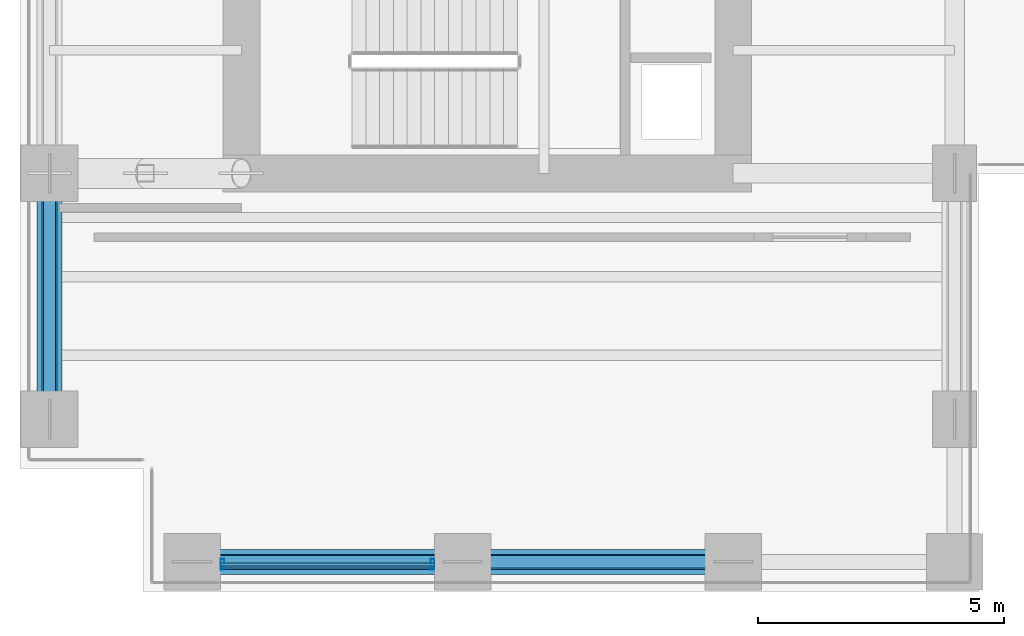
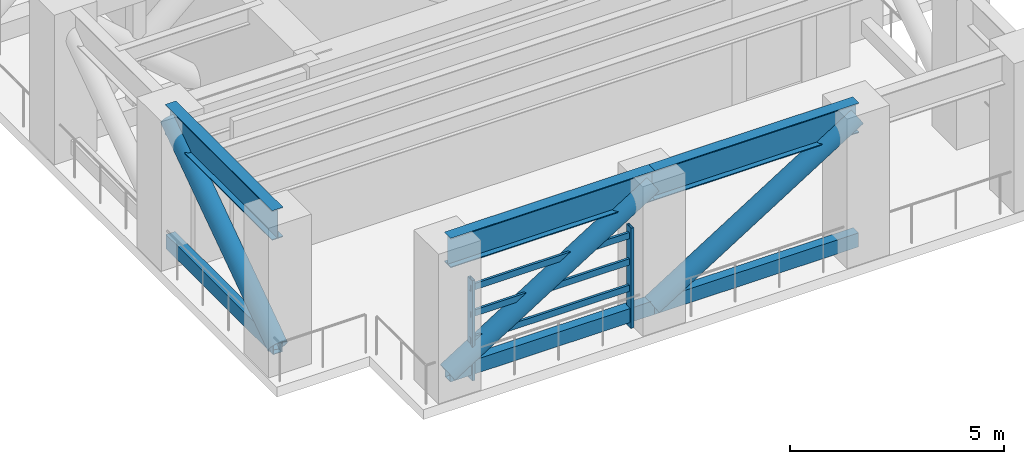
# One storey, part 2 of 16: 11 members, 3 beams, 1 element without a shape of its own.
"""IFC4 building model written with IfcOpenShell, lengths in metres."""

from ifc_helpers import new_model, si_unit, direction, frame, origin, origin_2d, place, context, subcontext, project, spatial, hollow_rectangle, hollow_circle, i_section, extrude, source, transform, mapped, material, layer, layer_set, material_profile, profile_set, type_object, element, aggregate, save


model = new_model("IFC4")

# Units and contexts
model_context = context("Model", 3, precision=1e-05, world=origin(), true_north=direction((0.0, 1.0)))
body_context = subcontext(model_context, "Body", "Model", "MODEL_VIEW")
ifc_project = project(units=[si_unit("LENGTHUNIT", "METRE"), si_unit("AREAUNIT", "SQUARE_METRE"), si_unit("VOLUMEUNIT", "CUBIC_METRE"), si_unit("PLANEANGLEUNIT", "RADIAN"), si_unit("MASSUNIT", "GRAM", prefix="KILO")], contexts=[model_context])

# Site, building, storey
site_placement = place(None, origin())
site = spatial("IfcSite", under=ifc_project, at=site_placement, CompositionType="ELEMENT")
building_placement = place(site_placement, origin())
building = spatial("IfcBuilding", under=site, at=building_placement, Name="Kharzan Plaza Tower", CompositionType="ELEMENT")
storey_placement = place(building_placement, frame((0.0, 0.0, 138.60009765625)))
storey = spatial("IfcBuildingStorey", under=building, at=storey_placement, Name="L37", CompositionType="ELEMENT", Elevation=138.60009765625)

# Members
ifc_material_1 = material(Name="Steel S355", Category="steel")
ifc_material_profile_1 = material_profile(ifc_material_1, hollow_rectangle(XDim=0.25, YDim=0.39990234375, WallThickness=0.01611328125, at=origin_2d()), Name="RHS400x250x16")
ifc_profile_set_1 = profile_set([ifc_material_profile_1], Name="Steel S355")
member_type_1 = type_object("IfcMemberType", Name="MEM-BT-CHORD", PredefinedType="CHORD", material=ifc_profile_set_1)
shared_shape_1 = source(origin(), body_context, "Body", "SweptSolid", [
    extrude(hollow_rectangle(XDim=0.25, YDim=0.39990234375, WallThickness=0.01611328125, at=origin_2d()), origin(), (0.0, 0.0, 1.0), 5.0),
])
member_1_placement = place(storey_placement, frame((0.60009765625, 3.5, 0.349853515625), z_axis=(0.0, 1.0, 0.0), x_axis=(-1.0, 0.0, 0.0)))
element("IfcMember", 1, at=member_1_placement, inside=storey, type_object=member_type_1, Name="L37 Belt Truss Bottom Chord BTW-1", PredefinedType="CHORD", context=body_context, shape_type="MappedRepresentation", body=[
    mapped(shared_shape_1, transform((0.0, 0.0, 0.0), x_axis=(1.0, 0.0, 0.0), y_axis=(0.0, 1.0, 0.0), z_axis=(0.0, 0.0, 1.0))),
])
shared_shape_2 = source(origin(), body_context, "Body", "SweptSolid", [
    extrude(hollow_rectangle(XDim=0.25, YDim=0.39990234375, WallThickness=0.01611328125, at=origin_2d()), origin(), (0.0, 0.0, 1.0), 5.5),
])
for number, where, z_axis, x_axis, name in (
    (2, (3.5, 0.60009765625, 0.349853515625), (1.0, 0.0, 0.0), (0.0, 1.0, 0.0), "L37 Belt Truss Bottom Chord BTS-1"),
    (3, (9.0, 0.60009765625, 0.349853515625), (1.0, 0.0, 0.0), (0.0, 1.0, 0.0), "L37 Belt Truss Bottom Chord BTS-2"),
):
    element("IfcMember", number, at=place(storey_placement, frame(where, z_axis=z_axis, x_axis=x_axis)), inside=storey, type_object=member_type_1, Name=name, PredefinedType="CHORD", context=body_context, shape_type="MappedRepresentation", body=[
        mapped(shared_shape_2, transform((0.0, 0.0, 0.0), x_axis=(1.0, 0.0, 0.0), y_axis=(0.0, 1.0, 0.0), z_axis=(0.0, 0.0, 1.0))),
    ])
ifc_material_profile_2 = material_profile(ifc_material_1, hollow_circle(Radius=0.25390625, WallThickness=0.02001953125, at=origin_2d()), Name="CHS508x20")
ifc_profile_set_2 = profile_set([ifc_material_profile_2], Name="Steel S355")
member_type_2 = type_object("IfcMemberType", Name="MEM-BT-DIAG", PredefinedType="BRACE", material=ifc_profile_set_2)
shared_shape_3 = source(origin(), body_context, "Body", "SweptSolid", [
    extrude(hollow_circle(Radius=0.25390625, WallThickness=0.02001953125, at=origin_2d()), origin(), (0.0, 0.0, 1.0), 6.080322265625),
])
member_2_placement = place(storey_placement, frame((0.60009765625, 3.5, 0.349853515625), z_axis=(0.0, 0.822313592679, 0.569034581809), x_axis=(-1.0, 0.0, 0.0)))
element("IfcMember", 4, at=member_2_placement, inside=storey, type_object=member_type_2, Name="L37 Belt Truss Diagonal BTW-1", PredefinedType="BRACE", context=body_context, shape_type="MappedRepresentation", body=[
    mapped(shared_shape_3, transform((0.0, 0.0, 0.0), x_axis=(1.0, 0.0, 0.0), y_axis=(0.0, 1.0, 0.0), z_axis=(0.0, 0.0, 1.0))),
])
shared_shape_4 = source(origin(), body_context, "Body", "SweptSolid", [
    extrude(hollow_circle(Radius=0.25390625, WallThickness=0.02001953125, at=origin_2d()), origin(), (0.0, 0.0, 1.0), 6.497802734375),
])
for number, where, z_axis, x_axis, name in (
    (5, (3.5, 0.60009765625, 0.349853515625), (0.846441086953, 0.0, 0.532482381228), (0.0, 1.0, 0.0), "L37 Belt Truss Diagonal BTS-1"),
    (6, (9.0, 0.60009765625, 0.349853515625), (0.846441086953, 0.0, 0.532482381228), (0.0, 1.0, 0.0), "L37 Belt Truss Diagonal BTS-2"),
):
    element("IfcMember", number, at=place(storey_placement, frame(where, z_axis=z_axis, x_axis=x_axis)), inside=storey, type_object=member_type_2, Name=name, PredefinedType="BRACE", context=body_context, shape_type="MappedRepresentation", body=[
        mapped(shared_shape_4, transform((0.0, 0.0, 0.0), x_axis=(1.0, 0.0, 0.0), y_axis=(0.0, 1.0, 0.0), z_axis=(0.0, 0.0, 1.0))),
    ])

# Beams
ifc_material_profile_3 = material_profile(ifc_material_1, i_section(OverallWidth=0.299072265625, OverallDepth=0.845947265625, WebThickness=0.015380859375, FlangeThickness=0.0244140625, at=origin_2d()), Name="W840x210")
ifc_profile_set_3 = profile_set([ifc_material_profile_3], Name="Steel S355")
beam_type = type_object("IfcBeamType", Name="BM-SP840B", PredefinedType="SPANDREL", material=ifc_profile_set_3)
shared_shape_5 = source(origin(), body_context, "Body", "SweptSolid", [
    extrude(i_section(OverallWidth=0.299072265625, OverallDepth=0.845947265625, WebThickness=0.015380859375, FlangeThickness=0.0244140625, at=origin_2d()), origin(), (0.0, 0.0, 1.0), 5.0),
])
beam_placement = place(storey_placement, frame((0.60009765625, 3.5, 3.8369140625), z_axis=(0.0, 1.0, 0.0), x_axis=(-1.0, 0.0, 0.0)))
element("IfcBeam", 7, at=beam_placement, inside=storey, type_object=beam_type, Name="L37 Perimeter Tube Spandrel", PredefinedType="SPANDREL", context=body_context, shape_type="MappedRepresentation", body=[
    mapped(shared_shape_5, transform((0.0, 0.0, 0.0), x_axis=(1.0, 0.0, 0.0), y_axis=(0.0, 1.0, 0.0), z_axis=(0.0, 0.0, 1.0))),
])
shared_shape_6 = source(origin(), body_context, "Body", "SweptSolid", [
    extrude(i_section(OverallWidth=0.299072265625, OverallDepth=0.845947265625, WebThickness=0.015380859375, FlangeThickness=0.0244140625, at=origin_2d()), origin(), (0.0, 0.0, 1.0), 5.5),
])
for number, where, z_axis, x_axis, name in (
    (8, (3.5, 0.60009765625, 3.8369140625), (1.0, 0.0, 0.0), (0.0, 1.0, 0.0), "L37 Perimeter Tube Spandrel"),
    (9, (9.0, 0.60009765625, 3.8369140625), (1.0, 0.0, 0.0), (0.0, 1.0, 0.0), "L37 Perimeter Tube Spandrel"),
):
    element("IfcBeam", number, at=place(storey_placement, frame(where, z_axis=z_axis, x_axis=x_axis)), inside=storey, type_object=beam_type, Name=name, PredefinedType="SPANDREL", context=body_context, shape_type="MappedRepresentation", body=[
        mapped(shared_shape_6, transform((0.0, 0.0, 0.0), x_axis=(1.0, 0.0, 0.0), y_axis=(0.0, 1.0, 0.0), z_axis=(0.0, 0.0, 1.0))),
    ])

# Curtain wall, members
ifc_material_2 = material(Name="Unitised Bronze-Anodized Aluminium and Low-E Glass", Category="aluminium")
ifc_layer = layer(ifc_material_2, 0.199951171875)
ifc_layer_set = layer_set([ifc_layer], Name="Unitised Bronze-Anodized Aluminium and Low-E Glass")
curtain_wall_type = type_object("IfcCurtainWallType", Name="CW-SKY-4", PredefinedType="NOTDEFINED", material=ifc_layer_set)
curtain_wall_placement = place(storey_placement, origin())
curtain_wall = element("IfcCurtainWall", 10, at=curtain_wall_placement, inside=storey, type_object=curtain_wall_type, Name="L37 Mechanical Intake Louvre Curtain-Wall Assembly", PredefinedType="NOTDEFINED")
ifc_material_3 = material(Name="Anodized Bronze Aluminium", Category="aluminium")
ifc_material_profile_4 = material_profile(ifc_material_3, hollow_rectangle(XDim=0.074951171875, YDim=0.219970703125, WallThickness=0.00390625, at=origin_2d()), Name="ALU-M220x75x4")
ifc_profile_set_4 = profile_set([ifc_material_profile_4], Name="Anodized Bronze Aluminium")
member_type_3 = type_object("IfcMemberType", Name="MEM-CW-MUL200", PredefinedType="MULLION", material=ifc_profile_set_4)
shared_shape_7 = source(origin(), body_context, "Body", "SweptSolid", [
    extrude(hollow_rectangle(XDim=0.074951171875, YDim=0.219970703125, WallThickness=0.00390625, at=origin_2d()), origin(), (0.0, 0.0, 1.0), 2.849853515625),
])
member_3_placement = place(storey_placement, frame((4.114990234375, 0.550048828125, 0.0), z_axis=(0.0, 0.0, 1.0), x_axis=(1.0, 0.0, 0.0)))
member_3 = element("IfcMember", 11, at=member_3_placement, type_object=member_type_3, Name="L37 Louvre Frame Vertical Mullion 01", PredefinedType="MULLION", context=body_context, shape_type="MappedRepresentation", body=[
    mapped(shared_shape_7, transform((0.0, 0.0, 0.0), x_axis=(1.0, 0.0, 0.0), y_axis=(0.0, 1.0, 0.0), z_axis=(0.0, 0.0, 1.0))),
])
member_4_placement = place(storey_placement, frame((8.385009765625, 0.550048828125, 0.0), z_axis=(0.0, 0.0, 1.0), x_axis=(1.0, 0.0, 0.0)))
member_4 = element("IfcMember", 12, at=member_4_placement, type_object=member_type_3, Name="L37 Louvre Frame Vertical Mullion 02", PredefinedType="MULLION", context=body_context, shape_type="MappedRepresentation", body=[
    mapped(shared_shape_7, transform((0.0, 0.0, 0.0), x_axis=(1.0, 0.0, 0.0), y_axis=(0.0, 1.0, 0.0), z_axis=(0.0, 0.0, 1.0))),
])
ifc_material_profile_5 = material_profile(ifc_material_3, hollow_rectangle(XDim=0.06494140625, YDim=0.179931640625, WallThickness=0.00390625, at=origin_2d()), Name="ALU-M180x65x4")
ifc_profile_set_5 = profile_set([ifc_material_profile_5], Name="Anodized Bronze Aluminium")
member_type_4 = type_object("IfcMemberType", Name="MEM-LOUVRE-250", PredefinedType="USERDEFINED", material=ifc_profile_set_5)
shared_shape_8 = source(origin(), body_context, "Body", "SweptSolid", [
    extrude(hollow_rectangle(XDim=0.06494140625, YDim=0.179931640625, WallThickness=0.00390625, at=origin_2d()), origin(), (0.0, 0.0, 1.0), 4.35009765625),
])
member_5_placement = place(storey_placement, frame((4.074951171875, 0.550048828125, 1.099853515625), z_axis=(1.0, 0.0, 0.0), x_axis=(0.0, 1.0, 0.0)))
member_5 = element("IfcMember", 13, at=member_5_placement, type_object=member_type_4, Name="L37 Acoustic Intake Louvre Blade 1", ObjectType="TRANSOM", PredefinedType="USERDEFINED", context=body_context, shape_type="MappedRepresentation", body=[
    mapped(shared_shape_8, transform((0.0, 0.0, 0.0), x_axis=(1.0, 0.0, 0.0), y_axis=(0.0, 1.0, 0.0), z_axis=(0.0, 0.0, 1.0))),
])
member_6_placement = place(storey_placement, frame((4.074951171875, 0.550048828125, 1.849853515625), z_axis=(1.0, 0.0, 0.0), x_axis=(0.0, 1.0, 0.0)))
member_6 = element("IfcMember", 14, at=member_6_placement, type_object=member_type_4, Name="L37 Acoustic Intake Louvre Blade 2", ObjectType="TRANSOM", PredefinedType="USERDEFINED", context=body_context, shape_type="MappedRepresentation", body=[
    mapped(shared_shape_8, transform((0.0, 0.0, 0.0), x_axis=(1.0, 0.0, 0.0), y_axis=(0.0, 1.0, 0.0), z_axis=(0.0, 0.0, 1.0))),
])
member_7_placement = place(storey_placement, frame((4.074951171875, 0.550048828125, 2.599853515625), z_axis=(1.0, 0.0, 0.0), x_axis=(0.0, 1.0, 0.0)))
member_7 = element("IfcMember", 15, at=member_7_placement, type_object=member_type_4, Name="L37 Acoustic Intake Louvre Blade 3", ObjectType="TRANSOM", PredefinedType="USERDEFINED", context=body_context, shape_type="MappedRepresentation", body=[
    mapped(shared_shape_8, transform((0.0, 0.0, 0.0), x_axis=(1.0, 0.0, 0.0), y_axis=(0.0, 1.0, 0.0), z_axis=(0.0, 0.0, 1.0))),
])
aggregate(curtain_wall, [member_3, member_4, member_5, member_6, member_7])

save(model, "model.ifc")
